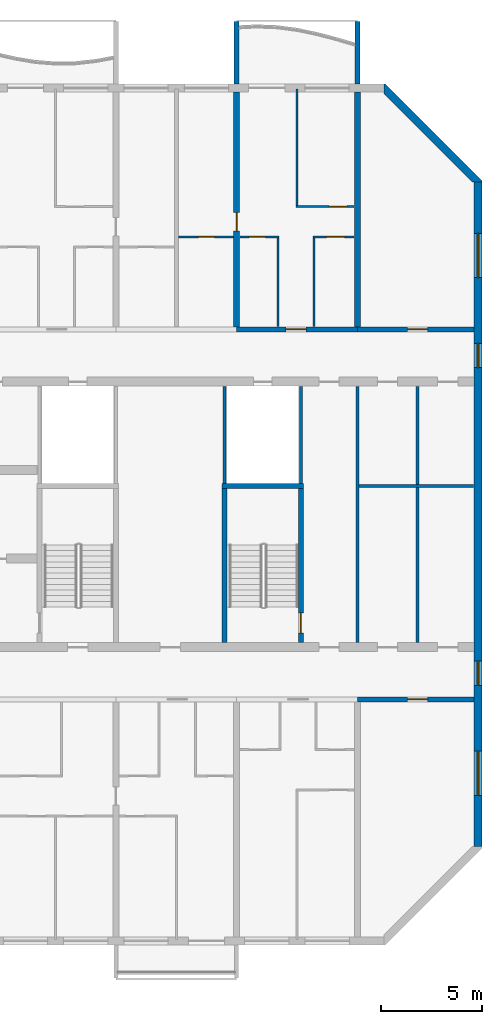
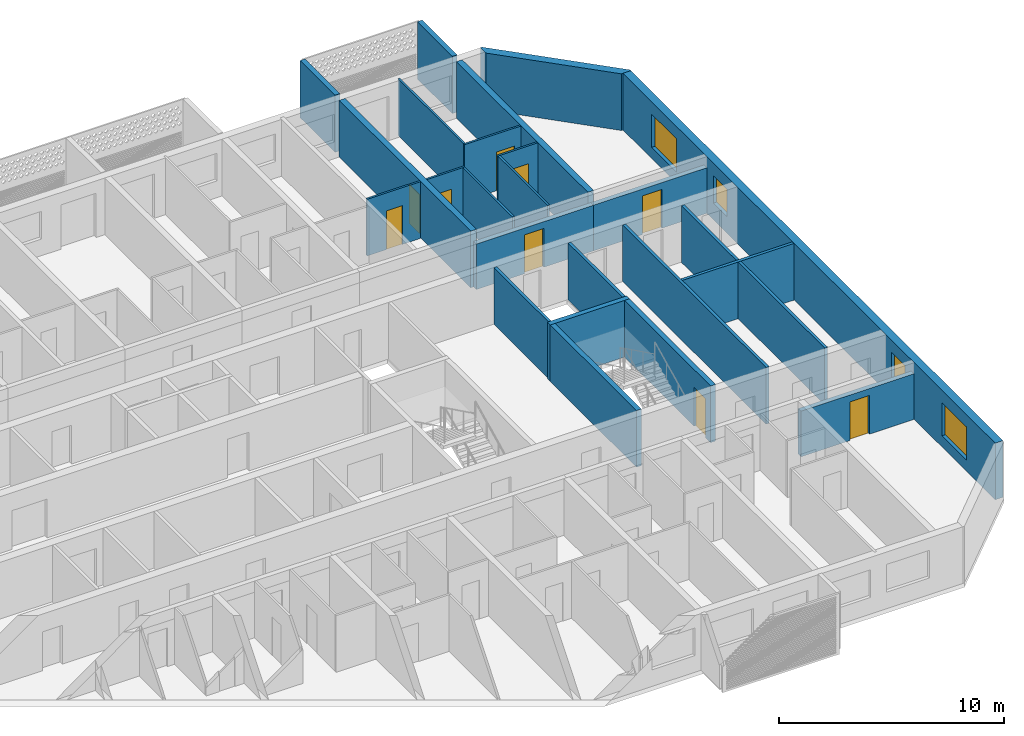
# One storey, part 12 of 32: 24 walls, 9 doors, 4 windows, 13 openings.
"""IFC4 building model written with IfcOpenShell, lengths in metres."""

from ifc_helpers import new_model, si_unit, direction, frame, frame_2d, origin, place, context, subcontext, project, spatial, polyline, rectangle, outline, extrude, source, transform, mapped, material, layer, layer_set, type_object, element, fill, save


model = new_model("IFC4")

# Units and contexts
model_context = context("Model", 3, precision=1e-05, world=origin(), true_north=direction((0.0, 1.0)))
body_context = subcontext(model_context, "Body", "Model", "MODEL_VIEW")
ifc_project = project(units=[si_unit("LENGTHUNIT", "METRE"), si_unit("AREAUNIT", "SQUARE_METRE"), si_unit("VOLUMEUNIT", "CUBIC_METRE"), si_unit("PLANEANGLEUNIT", "RADIAN"), si_unit("MASSUNIT", "GRAM", prefix="KILO")], contexts=[model_context])

# Site, building, storey
site_placement = place(None, origin())
site = spatial("IfcSite", under=ifc_project, at=site_placement, CompositionType="ELEMENT")
building_placement = place(site_placement, origin())
building = spatial("IfcBuilding", under=site, at=building_placement, Name="Poui Terraces", CompositionType="ELEMENT")
storey_placement = place(building_placement, frame((0.0, 0.0, 125.699951171875)))
storey = spatial("IfcBuildingStorey", under=building, at=storey_placement, Name="L34", CompositionType="ELEMENT", Elevation=125.699951171875)

# Wall
ifc_material_1 = material(Name="Fire-rated plasterboard wall")
ifc_layer_1 = layer(ifc_material_1, 0.14990234375)
ifc_layer_set_1 = layer_set([ifc_layer_1], Name="Fire-rated plasterboard wall")
wall_type_1 = type_object("IfcWallType", Name="CORRIDOR WALL 150", PredefinedType="PARTITIONING", material=ifc_layer_set_1)
wall_1_placement = place(storey_placement, frame((84.0, 14.8349609375, 0.0), z_axis=(0.0, 0.0, 1.0), x_axis=(0.0, 1.0, 0.0)))
element("IfcWall", 1, at=wall_1_placement, inside=storey, type_object=wall_type_1, Name="CORRIDOR WALL 150", PredefinedType="PARTITIONING", context=body_context, shape_type="SweptSolid", body=[
    extrude(rectangle(XDim=12.72998046875, YDim=0.14990234375, at=frame_2d((6.364990234375, 0.0))), origin(), (0.0, 0.0, 1.0), 3.070068359375),
])

# Wall, opening, door
ifc_material_2 = material(Name="Concrete 65 MPa", Category="concrete")
ifc_layer_2 = layer(ifc_material_2, 0.25)
ifc_layer_set_2 = layer_set([ifc_layer_2], Name="Concrete 65 MPa")
wall_type_2 = type_object("IfcWallType", Name="CORRIDOR WALL 250 65MPa", PredefinedType="SHEAR", material=ifc_layer_set_2)
wall_2_placement = place(storey_placement, frame((84.0, 12.0, 0.0), z_axis=(0.0, 0.0, 1.0), x_axis=(1.0, 0.0, 0.0)))
wall_2 = element("IfcWall", 2, at=wall_2_placement, inside=storey, type_object=wall_type_2, Name="CORRIDOR WALL LINE B BAY 13", PredefinedType="SHEAR", context=body_context, shape_type="SweptSolid", body=[
    extrude(rectangle(XDim=5.800048828125, YDim=0.25, at=frame_2d((2.89990234375, 0.0))), origin(), (0.0, 0.0, 1.0), 2.469970703125),
])
opening_1_placement = place(wall_2_placement, frame((2.5, 0.0, 0.0)))
opening_1 = element("IfcOpeningElement", 3, at=opening_1_placement, cuts=wall_2, Name="Opening D100", PredefinedType="OPENING", context=body_context, shape_type="SweptSolid", body=[
    extrude(rectangle(XDim=1.0, YDim=2.10009765625, at=frame_2d((0.5, 1.050048828125))), frame((0.0, 0.135009765625, 0.0), z_axis=(0.0, -1.0, 0.0), x_axis=(1.0, 0.0, 0.0)), (0.0, 0.0, 1.0), 0.27001953125),
])
ifc_material_3 = material(Name="Solid core timber door", Category="wood")
door_type_1 = type_object("IfcDoorType", Name="ACCESSIBLE INTERNAL DOOR 1000 X 2100", OperationType="NOTDEFINED", PredefinedType="DOOR", material=ifc_material_3)
door_1_placement = place(opening_1_placement, frame((1.0, 0.0, 0.0), z_axis=(0.0, 0.0, 1.0), x_axis=(-1.0, 0.0, 0.0)))
door_1 = element("IfcDoor", 4, at=door_1_placement, inside=storey, type_object=door_type_1, Name="ACCESSIBLE INTERNAL DOOR 120", OperationType="SINGLE_SWING_RIGHT", OverallHeight=2.10009765625, OverallWidth=1.0, PredefinedType="DOOR", context=body_context, shape_type="SweptSolid", body=[
    extrude(rectangle(XDim=1.0, YDim=2.10009765625, at=frame_2d((0.5, 1.050048828125))), frame((0.0, 0.02490234375, 0.0), z_axis=(0.0, -1.0, 0.0), x_axis=(1.0, 0.0, 0.0)), (0.0, 0.0, 1.0), 0.050048828125),
])
fill(opening_1, door_1)

wall_3_placement = place(storey_placement, frame((78.0, 30.39990234375, 0.0), z_axis=(0.0, 0.0, 1.0), x_axis=(1.0, 0.0, 0.0)))
wall_3 = element("IfcWall", 5, at=wall_3_placement, inside=storey, type_object=wall_type_2, Name="CORRIDOR WALL LINE E BAY 12", PredefinedType="SHEAR", context=body_context, shape_type="SweptSolid", body=[
    extrude(rectangle(XDim=6.0, YDim=0.25, at=frame_2d((3.0, 0.0))), origin(), (0.0, 0.0, 1.0), 2.469970703125),
])
opening_2_placement = place(wall_3_placement, frame((2.449951171875, 0.0, 0.0)))
opening_2 = element("IfcOpeningElement", 6, at=opening_2_placement, cuts=wall_3, Name="Opening FD30S", PredefinedType="OPENING", context=body_context, shape_type="SweptSolid", body=[
    extrude(rectangle(XDim=1.0, YDim=2.10009765625, at=frame_2d((0.5, 1.050048828125))), frame((0.0, 0.135009765625, 0.0), z_axis=(0.0, -1.0, 0.0), x_axis=(1.0, 0.0, 0.0)), (0.0, 0.0, 1.0), 0.27001953125),
])
ifc_material_4 = material(Name="Steel fire door", Category="steel")
door_type_2 = type_object("IfcDoorType", Name="FLAT ENTRANCE DOOR 1000 X 2100", OperationType="NOTDEFINED", PredefinedType="DOOR", material=ifc_material_4)
door_2_placement = place(opening_2_placement, origin())
door_2 = element("IfcDoor", 7, at=door_2_placement, inside=storey, type_object=door_type_2, Name="FLAT ENTRANCE DOOR 074", OperationType="SINGLE_SWING_LEFT", OverallHeight=2.10009765625, OverallWidth=1.0, PredefinedType="DOOR", context=body_context, shape_type="SweptSolid", body=[
    extrude(rectangle(XDim=1.0, YDim=2.10009765625, at=frame_2d((0.5, 1.050048828125))), frame((0.0, 0.02490234375, 0.0), z_axis=(0.0, -1.0, 0.0), x_axis=(1.0, 0.0, 0.0)), (0.0, 0.0, 1.0), 0.050048828125),
])
fill(opening_2, door_2)

wall_4_placement = place(storey_placement, frame((84.0, 30.39990234375, 0.0), z_axis=(0.0, 0.0, 1.0), x_axis=(1.0, 0.0, 0.0)))
wall_4 = element("IfcWall", 8, at=wall_4_placement, inside=storey, type_object=wall_type_2, Name="CORRIDOR WALL LINE E BAY 13", PredefinedType="SHEAR", context=body_context, shape_type="SweptSolid", body=[
    extrude(rectangle(XDim=5.800048828125, YDim=0.25, at=frame_2d((2.89990234375, 0.0))), origin(), (0.0, 0.0, 1.0), 2.469970703125),
])
opening_3_placement = place(wall_4_placement, frame((2.5, 0.0, 0.0)))
opening_3 = element("IfcOpeningElement", 9, at=opening_3_placement, cuts=wall_4, Name="Opening D100", PredefinedType="OPENING", context=body_context, shape_type="SweptSolid", body=[
    extrude(rectangle(XDim=1.0, YDim=2.10009765625, at=frame_2d((0.5, 1.050048828125))), frame((0.0, 0.135009765625, 0.0), z_axis=(0.0, -1.0, 0.0), x_axis=(1.0, 0.0, 0.0)), (0.0, 0.0, 1.0), 0.27001953125),
])
door_3_placement = place(opening_3_placement, origin())
door_3 = element("IfcDoor", 10, at=door_3_placement, inside=storey, type_object=door_type_1, Name="ACCESSIBLE INTERNAL DOOR 077", OperationType="SINGLE_SWING_LEFT", OverallHeight=2.10009765625, OverallWidth=1.0, PredefinedType="DOOR", context=body_context, shape_type="SweptSolid", body=[
    extrude(rectangle(XDim=1.0, YDim=2.10009765625, at=frame_2d((0.5, 1.050048828125))), frame((0.0, 0.02490234375, 0.0), z_axis=(0.0, -1.0, 0.0), x_axis=(1.0, 0.0, 0.0)), (0.0, 0.0, 1.0), 0.050048828125),
])
fill(opening_3, door_3)

ifc_layer_3 = layer(ifc_material_2, 0.300048828125)
ifc_layer_set_3 = layer_set([ifc_layer_3], Name="Concrete 65 MPa")
wall_type_3 = type_object("IfcWallType", Name="CROSS WALL 300 65MPa", PredefinedType="SHEAR", material=ifc_layer_set_3)
wall_5_placement = place(storey_placement, frame((78.0, 30.52490234375, 0.0), z_axis=(0.0, 0.0, 1.0), x_axis=(0.0, 1.0, 0.0)))
wall_5 = element("IfcWall", 11, at=wall_5_placement, inside=storey, type_object=wall_type_3, Name="CROSS WALL LINE 14 NORTH", PredefinedType="SHEAR", context=body_context, shape_type="SweptSolid", body=[
    extrude(rectangle(XDim=11.675048828125, YDim=0.300048828125, at=frame_2d((5.83740234375, 0.0))), origin(), (0.0, 0.0, 1.0), 3.070068359375),
])
opening_4_placement = place(wall_5_placement, frame((4.77490234375, 0.0, 0.0)))
opening_4 = element("IfcOpeningElement", 12, at=opening_4_placement, cuts=wall_5, Name="Opening D90", PredefinedType="OPENING", context=body_context, shape_type="SweptSolid", body=[
    extrude(rectangle(XDim=0.89990234375, YDim=2.10009765625, at=frame_2d((0.449951171875, 1.050048828125))), frame((0.0, 0.16015625, 0.0), z_axis=(0.0, -1.0, 0.0), x_axis=(1.0, 0.0, 0.0)), (0.0, 0.0, 1.0), 0.320068359375),
])
door_type_3 = type_object("IfcDoorType", Name="INTERNAL DOOR 900 X 2100", OperationType="NOTDEFINED", PredefinedType="DOOR", material=ifc_material_3)
door_4_placement = place(opening_4_placement, origin())
door_4 = element("IfcDoor", 13, at=door_4_placement, inside=storey, type_object=door_type_3, Name="INTERNAL DOOR 072", OperationType="SINGLE_SWING_LEFT", OverallHeight=2.10009765625, OverallWidth=0.89990234375, PredefinedType="DOOR", context=body_context, shape_type="SweptSolid", body=[
    extrude(rectangle(XDim=0.89990234375, YDim=2.10009765625, at=frame_2d((0.449951171875, 1.050048828125))), frame((0.0, 0.02490234375, 0.0), z_axis=(0.0, -1.0, 0.0), x_axis=(1.0, 0.0, 0.0)), (0.0, 0.0, 1.0), 0.050048828125),
])
fill(opening_4, door_4)

# Wall
wall_6_placement = place(storey_placement, frame((84.0, 30.52490234375, 0.0), z_axis=(0.0, 0.0, 1.0), x_axis=(0.0, 1.0, 0.0)))
element("IfcWall", 14, at=wall_6_placement, inside=storey, type_object=wall_type_3, Name="CROSS WALL LINE 15 NORTH", PredefinedType="SHEAR", context=body_context, shape_type="SweptSolid", body=[
    extrude(rectangle(XDim=11.675048828125, YDim=0.300048828125, at=frame_2d((5.83740234375, 0.0))), origin(), (0.0, 0.0, 1.0), 3.070068359375),
])

# Wall, openings, windows
ifc_layer_4 = layer(ifc_material_2, 0.39990234375)
ifc_layer_set_4 = layer_set([ifc_layer_4], Name="Concrete 65 MPa")
wall_type_4 = type_object("IfcWallType", Name="END WALL 400 65MPa", PredefinedType="SHEAR", material=ifc_layer_set_4)
wall_7_placement = place(storey_placement, frame((90.0, 4.682861328125, 0.0), z_axis=(0.0, 0.0, 1.0), x_axis=(0.0, 1.0, 0.0)))
wall_7 = element("IfcWall", 15, at=wall_7_placement, inside=storey, type_object=wall_type_4, Name="END WALL EAST", PredefinedType="SHEAR", context=body_context, shape_type="SweptSolid", body=[
    extrude(rectangle(XDim=33.034423828125, YDim=0.39990234375, at=frame_2d((16.51708984375, 0.0))), origin(), (0.0, 0.0, 1.0), 3.070068359375),
])
opening_5_placement = place(wall_7_placement, frame((23.817138671875, 0.0, 0.89990234375)))
opening_5 = element("IfcOpeningElement", 16, at=opening_5_placement, cuts=wall_7, Name="Opening W2", PredefinedType="OPENING", context=body_context, shape_type="SweptSolid", body=[
    extrude(rectangle(XDim=1.199951171875, YDim=1.5, at=frame_2d((0.60009765625, 0.75))), frame((0.0, 0.2099609375, 0.0), z_axis=(0.0, -1.0, 0.0), x_axis=(1.0, 0.0, 0.0)), (0.0, 0.0, 1.0), 0.419921875),
])
opening_6_placement = place(wall_7_placement, frame((8.01708984375, 0.0, 0.89990234375)))
opening_6 = element("IfcOpeningElement", 17, at=opening_6_placement, cuts=wall_7, Name="Opening W2", PredefinedType="OPENING", context=body_context, shape_type="SweptSolid", body=[
    extrude(rectangle(XDim=1.199951171875, YDim=1.5, at=frame_2d((0.60009765625, 0.75))), frame((0.0, 0.2099609375, 0.0), z_axis=(0.0, -1.0, 0.0), x_axis=(1.0, 0.0, 0.0)), (0.0, 0.0, 1.0), 0.419921875),
])
opening_7_placement = place(wall_7_placement, frame((28.29345703125, 0.0, 0.60009765625)))
opening_7 = element("IfcOpeningElement", 18, at=opening_7_placement, cuts=wall_7, Name="Opening W3", PredefinedType="OPENING", context=body_context, shape_type="SweptSolid", body=[
    extrude(rectangle(XDim=2.199951171875, YDim=1.800048828125, at=frame_2d((1.10009765625, 0.89990234375))), frame((0.0, 0.2099609375, 0.0), z_axis=(0.0, -1.0, 0.0), x_axis=(1.0, 0.0, 0.0)), (0.0, 0.0, 1.0), 0.419921875),
])
opening_8_placement = place(wall_7_placement, frame((2.541015625, 0.0, 0.60009765625)))
opening_8 = element("IfcOpeningElement", 19, at=opening_8_placement, cuts=wall_7, Name="Opening W3", PredefinedType="OPENING", context=body_context, shape_type="SweptSolid", body=[
    extrude(rectangle(XDim=2.199951171875, YDim=1.800048828125, at=frame_2d((1.10009765625, 0.89990234375))), frame((0.0, 0.2099609375, 0.0), z_axis=(0.0, -1.0, 0.0), x_axis=(1.0, 0.0, 0.0)), (0.0, 0.0, 1.0), 0.419921875),
])
ifc_material_5 = material(Name="Clear glass in aluminium frame", Category="aluminium")
window_type_1 = type_object("IfcWindowType", Name="WINDOW 1200X1500", PartitioningType="SINGLE_PANEL", PredefinedType="WINDOW", material=ifc_material_5)
window_1_placement = place(opening_5_placement, origin())
window_1 = element("IfcWindow", 20, at=window_1_placement, inside=storey, type_object=window_type_1, Name="W2 WINDOW", OverallHeight=1.5, OverallWidth=1.199951171875, PartitioningType="SINGLE_PANEL", PredefinedType="WINDOW", context=body_context, shape_type="SweptSolid", body=[
    extrude(rectangle(XDim=1.199951171875, YDim=1.5, at=frame_2d((0.60009765625, 0.75))), frame((0.0, 0.030029296875, 0.0), z_axis=(0.0, -1.0, 0.0), x_axis=(1.0, 0.0, 0.0)), (0.0, 0.0, 1.0), 0.06005859375),
])
fill(opening_5, window_1)
window_2_placement = place(opening_6_placement, origin())
window_2 = element("IfcWindow", 21, at=window_2_placement, inside=storey, type_object=window_type_1, Name="W2 WINDOW", OverallHeight=1.5, OverallWidth=1.199951171875, PartitioningType="SINGLE_PANEL", PredefinedType="WINDOW", context=body_context, shape_type="SweptSolid", body=[
    extrude(rectangle(XDim=1.199951171875, YDim=1.5, at=frame_2d((0.60009765625, 0.75))), frame((0.0, 0.030029296875, 0.0), z_axis=(0.0, -1.0, 0.0), x_axis=(1.0, 0.0, 0.0)), (0.0, 0.0, 1.0), 0.06005859375),
])
fill(opening_6, window_2)
window_type_2 = type_object("IfcWindowType", Name="WINDOW 2200X1800", PartitioningType="DOUBLE_PANEL_HORIZONTAL", PredefinedType="WINDOW", material=ifc_material_5)
window_3_placement = place(opening_7_placement, origin())
window_3 = element("IfcWindow", 22, at=window_3_placement, inside=storey, type_object=window_type_2, Name="W3 WINDOW", OverallHeight=1.800048828125, OverallWidth=2.199951171875, PartitioningType="DOUBLE_PANEL_HORIZONTAL", PredefinedType="WINDOW", context=body_context, shape_type="SweptSolid", body=[
    extrude(rectangle(XDim=2.199951171875, YDim=1.800048828125, at=frame_2d((1.10009765625, 0.89990234375))), frame((0.0, 0.030029296875, 0.0), z_axis=(0.0, -1.0, 0.0), x_axis=(1.0, 0.0, 0.0)), (0.0, 0.0, 1.0), 0.06005859375),
])
fill(opening_7, window_3)
window_4_placement = place(opening_8_placement, origin())
window_4 = element("IfcWindow", 23, at=window_4_placement, inside=storey, type_object=window_type_2, Name="W3 WINDOW", OverallHeight=1.800048828125, OverallWidth=2.199951171875, PartitioningType="DOUBLE_PANEL_HORIZONTAL", PredefinedType="WINDOW", context=body_context, shape_type="SweptSolid", body=[
    extrude(rectangle(XDim=2.199951171875, YDim=1.800048828125, at=frame_2d((1.10009765625, 0.89990234375))), frame((0.0, 0.030029296875, 0.0), z_axis=(0.0, -1.0, 0.0), x_axis=(1.0, 0.0, 0.0)), (0.0, 0.0, 1.0), 0.06005859375),
])
fill(opening_8, window_4)

# Wall, opening, door
ifc_material_6 = material(Name="Plasterboard partition")
ifc_layer_5 = layer(ifc_material_6, 0.10009765625)
ifc_layer_set_5 = layer_set([ifc_layer_5], Name="Plasterboard partition")
wall_type_5 = type_object("IfcWallType", Name="FLAT PARTITION 100", PredefinedType="PARTITIONING", material=ifc_layer_set_5)
wall_8_placement = place(storey_placement, frame((75.10009765625, 35.0, 0.0), z_axis=(0.0, 0.0, 1.0), x_axis=(1.0, 0.0, 0.0)))
wall_8 = element("IfcWall", 24, at=wall_8_placement, inside=storey, type_object=wall_type_5, Name="FLAT PARTITION 100", PredefinedType="PARTITIONING", context=body_context, shape_type="SweptSolid", body=[
    extrude(rectangle(XDim=2.739990234375, YDim=0.10009765625, at=frame_2d((1.3701171875, 0.0))), origin(), (0.0, 0.0, 1.0), 3.070068359375),
])
opening_9_placement = place(wall_8_placement, frame((1.0, 0.0, 0.0)))
opening_9 = element("IfcOpeningElement", 25, at=opening_9_placement, cuts=wall_8, Name="Opening D80", PredefinedType="OPENING", context=body_context, shape_type="SweptSolid", body=[
    extrude(rectangle(XDim=0.800048828125, YDim=2.10009765625, at=frame_2d((0.39990234375, 1.050048828125))), frame((0.0, 0.06005859375, 0.0), z_axis=(0.0, -1.0, 0.0), x_axis=(1.0, 0.0, 0.0)), (0.0, 0.0, 1.0), 0.1201171875),
])
door_type_4 = type_object("IfcDoorType", Name="BATHROOM, LAUNDRY AND STORE DOOR 800 X 2100", OperationType="NOTDEFINED", PredefinedType="DOOR", material=ifc_material_3)
door_5_placement = place(opening_9_placement, frame((0.800048828125, 0.0, 0.0), z_axis=(0.0, 0.0, 1.0), x_axis=(-1.0, 0.0, 0.0)))
door_5 = element("IfcDoor", 26, at=door_5_placement, inside=storey, type_object=door_type_4, Name="BATHROOM, LAUNDRY AND STORE DOOR 071", OperationType="SINGLE_SWING_RIGHT", OverallHeight=2.10009765625, OverallWidth=0.800048828125, PredefinedType="DOOR", context=body_context, shape_type="SweptSolid", body=[
    extrude(rectangle(XDim=0.800048828125, YDim=2.10009765625, at=frame_2d((0.39990234375, 1.050048828125))), frame((0.0, 0.02490234375, 0.0), z_axis=(0.0, -1.0, 0.0), x_axis=(1.0, 0.0, 0.0)), (0.0, 0.0, 1.0), 0.050048828125),
])
fill(opening_9, door_5)

wall_9_placement = place(storey_placement, frame((78.159912109375, 35.0, 0.0), z_axis=(0.0, 0.0, 1.0), x_axis=(1.0, 0.0, 0.0)))
wall_9 = element("IfcWall", 27, at=wall_9_placement, inside=storey, type_object=wall_type_5, Name="FLAT PARTITION 100", PredefinedType="PARTITIONING", context=body_context, shape_type="SweptSolid", body=[
    extrude(rectangle(XDim=1.940185546875, YDim=0.10009765625, at=frame_2d((0.97021484375, 0.0))), origin(), (0.0, 0.0, 1.0), 3.070068359375),
])
opening_10_placement = place(wall_9_placement, frame((0.465087890625, 0.0, 0.0)))
opening_10 = element("IfcOpeningElement", 28, at=opening_10_placement, cuts=wall_9, Name="Opening D80", PredefinedType="OPENING", context=body_context, shape_type="SweptSolid", body=[
    extrude(rectangle(XDim=0.800048828125, YDim=2.10009765625, at=frame_2d((0.39990234375, 1.050048828125))), frame((0.0, 0.06005859375, 0.0), z_axis=(0.0, -1.0, 0.0), x_axis=(1.0, 0.0, 0.0)), (0.0, 0.0, 1.0), 0.1201171875),
])
door_6_placement = place(opening_10_placement, frame((0.800048828125, 0.0, 0.0), z_axis=(0.0, 0.0, 1.0), x_axis=(-1.0, 0.0, 0.0)))
door_6 = element("IfcDoor", 29, at=door_6_placement, inside=storey, type_object=door_type_4, Name="BATHROOM, LAUNDRY AND STORE DOOR 073", OperationType="SINGLE_SWING_RIGHT", OverallHeight=2.10009765625, OverallWidth=0.800048828125, PredefinedType="DOOR", context=body_context, shape_type="SweptSolid", body=[
    extrude(rectangle(XDim=0.800048828125, YDim=2.10009765625, at=frame_2d((0.39990234375, 1.050048828125))), frame((0.0, 0.02490234375, 0.0), z_axis=(0.0, -1.0, 0.0), x_axis=(1.0, 0.0, 0.0)), (0.0, 0.0, 1.0), 0.050048828125),
])
fill(opening_10, door_6)

wall_10_placement = place(storey_placement, frame((81.800048828125, 35.0, 0.0), z_axis=(0.0, 0.0, 1.0), x_axis=(1.0, 0.0, 0.0)))
wall_10 = element("IfcWall", 30, at=wall_10_placement, inside=storey, type_object=wall_type_5, Name="FLAT PARTITION 100", PredefinedType="PARTITIONING", context=body_context, shape_type="SweptSolid", body=[
    extrude(rectangle(XDim=2.0400390625, YDim=0.10009765625, at=frame_2d((1.02001953125, 0.0))), origin(), (0.0, 0.0, 1.0), 3.070068359375),
])
opening_11_placement = place(wall_10_placement, frame((0.675048828125, 0.0, 0.0)))
opening_11 = element("IfcOpeningElement", 31, at=opening_11_placement, cuts=wall_10, Name="Opening D90", PredefinedType="OPENING", context=body_context, shape_type="SweptSolid", body=[
    extrude(rectangle(XDim=0.89990234375, YDim=2.10009765625, at=frame_2d((0.449951171875, 1.050048828125))), frame((0.0, 0.06005859375, 0.0), z_axis=(0.0, -1.0, 0.0), x_axis=(1.0, 0.0, 0.0)), (0.0, 0.0, 1.0), 0.1201171875),
])
door_7_placement = place(opening_11_placement, frame((0.89990234375, 0.0, 0.0), z_axis=(0.0, 0.0, 1.0), x_axis=(-1.0, 0.0, 0.0)))
door_7 = element("IfcDoor", 32, at=door_7_placement, inside=storey, type_object=door_type_3, Name="INTERNAL DOOR 075", OperationType="SINGLE_SWING_LEFT", OverallHeight=2.10009765625, OverallWidth=0.89990234375, PredefinedType="DOOR", context=body_context, shape_type="SweptSolid", body=[
    extrude(rectangle(XDim=0.89990234375, YDim=2.10009765625, at=frame_2d((0.449951171875, 1.050048828125))), frame((0.0, 0.02490234375, 0.0), z_axis=(0.0, -1.0, 0.0), x_axis=(1.0, 0.0, 0.0)), (0.0, 0.0, 1.0), 0.050048828125),
])
fill(opening_11, door_7)

wall_11_placement = place(storey_placement, frame((80.949951171875, 36.5, 0.0), z_axis=(0.0, 0.0, 1.0), x_axis=(1.0, 0.0, 0.0)))
wall_11 = element("IfcWall", 33, at=wall_11_placement, inside=storey, type_object=wall_type_5, Name="FLAT PARTITION 100", PredefinedType="PARTITIONING", context=body_context, shape_type="SweptSolid", body=[
    extrude(rectangle(XDim=2.89013671875, YDim=0.10009765625, at=frame_2d((1.445068359375, 0.0))), origin(), (0.0, 0.0, 1.0), 3.070068359375),
])
opening_12_placement = place(wall_11_placement, frame((1.64990234375, 0.0, 0.0)))
opening_12 = element("IfcOpeningElement", 34, at=opening_12_placement, cuts=wall_11, Name="Opening D90", PredefinedType="OPENING", context=body_context, shape_type="SweptSolid", body=[
    extrude(rectangle(XDim=0.89990234375, YDim=2.10009765625, at=frame_2d((0.449951171875, 1.050048828125))), frame((0.0, 0.06005859375, 0.0), z_axis=(0.0, -1.0, 0.0), x_axis=(1.0, 0.0, 0.0)), (0.0, 0.0, 1.0), 0.1201171875),
])
door_8_placement = place(opening_12_placement, frame((0.89990234375, 0.0, 0.0), z_axis=(0.0, 0.0, 1.0), x_axis=(-1.0, 0.0, 0.0)))
door_8 = element("IfcDoor", 35, at=door_8_placement, inside=storey, type_object=door_type_3, Name="INTERNAL DOOR 076", OperationType="SINGLE_SWING_RIGHT", OverallHeight=2.10009765625, OverallWidth=0.89990234375, PredefinedType="DOOR", context=body_context, shape_type="SweptSolid", body=[
    extrude(rectangle(XDim=0.89990234375, YDim=2.10009765625, at=frame_2d((0.449951171875, 1.050048828125))), frame((0.0, 0.02490234375, 0.0), z_axis=(0.0, -1.0, 0.0), x_axis=(1.0, 0.0, 0.0)), (0.0, 0.0, 1.0), 0.050048828125),
])
fill(opening_12, door_8)

# Walls
wall_12_placement = place(storey_placement, frame((80.050048828125, 30.534912109375, 0.0), z_axis=(0.0, 0.0, 1.0), x_axis=(0.0, 1.0, 0.0)))
element("IfcWall", 36, at=wall_12_placement, inside=storey, type_object=wall_type_5, Name="FLAT PARTITION 100", PredefinedType="PARTITIONING", context=body_context, shape_type="SweptSolid", body=[
    extrude(rectangle(XDim=4.4150390625, YDim=0.10009765625, at=frame_2d((2.20751953125, 0.0))), origin(), (0.0, 0.0, 1.0), 3.070068359375),
])
wall_13_placement = place(storey_placement, frame((81.0, 36.550048828125, 0.0), z_axis=(0.0, 0.0, 1.0), x_axis=(0.0, 1.0, 0.0)))
element("IfcWall", 37, at=wall_13_placement, inside=storey, type_object=wall_type_5, Name="FLAT PARTITION 100", PredefinedType="PARTITIONING", context=body_context, shape_type="SweptSolid", body=[
    extrude(rectangle(XDim=5.7900390625, YDim=0.10009765625, at=frame_2d((2.89501953125, 0.0))), origin(), (0.0, 0.0, 1.0), 3.070068359375),
])
wall_14_placement = place(storey_placement, frame((81.85009765625, 30.534912109375, 0.0), z_axis=(0.0, 0.0, 1.0), x_axis=(0.0, 1.0, 0.0)))
element("IfcWall", 38, at=wall_14_placement, inside=storey, type_object=wall_type_5, Name="FLAT PARTITION 100", PredefinedType="PARTITIONING", context=body_context, shape_type="SweptSolid", body=[
    extrude(rectangle(XDim=4.4150390625, YDim=0.10009765625, at=frame_2d((2.20751953125, 0.0))), origin(), (0.0, 0.0, 1.0), 3.070068359375),
])
ifc_layer_6 = layer(ifc_material_6, 0.14990234375)
ifc_layer_set_6 = layer_set([ifc_layer_6], Name="Plasterboard partition")
wall_type_6 = type_object("IfcWallType", Name="PARTITION WALL 150", PredefinedType="PARTITIONING", material=ifc_layer_set_6)
wall_15_placement = place(storey_placement, frame((84.074951171875, 22.60009765625, 0.0), z_axis=(0.0, 0.0, 1.0), x_axis=(1.0, 0.0, 0.0)))
element("IfcWall", 39, at=wall_15_placement, inside=storey, type_object=wall_type_6, Name="PARTITION WALL 150", PredefinedType="PARTITIONING", context=body_context, shape_type="SweptSolid", body=[
    extrude(rectangle(XDim=5.715087890625, YDim=0.14990234375, at=frame_2d((2.857421875, 0.0))), origin(), (0.0, 0.0, 1.0), 3.070068359375),
])
wall_16_placement = place(storey_placement, frame((87.0, 14.8349609375, 0.0), z_axis=(0.0, 0.0, 1.0), x_axis=(0.0, 1.0, 0.0)))
element("IfcWall", 40, at=wall_16_placement, inside=storey, type_object=wall_type_6, Name="PARTITION WALL 150", PredefinedType="PARTITIONING", context=body_context, shape_type="SweptSolid", body=[
    extrude(rectangle(XDim=12.72998046875, YDim=0.14990234375, at=frame_2d((6.364990234375, 0.0))), origin(), (0.0, 0.0, 1.0), 3.070068359375),
])
ifc_material_7 = material(Name="Fire-rated plasterboard riser wall")
ifc_layer_7 = layer(ifc_material_7, 0.14990234375)
ifc_layer_set_7 = layer_set([ifc_layer_7], Name="Fire-rated plasterboard riser wall")
wall_type_7 = type_object("IfcWallType", Name="RISER WALL 150", PredefinedType="PARTITIONING", material=ifc_layer_set_7)
for number, where, z_axis, x_axis, name in (
    (41, (77.39990234375, 22.735107421875, 0.0), (0.0, 0.0, 1.0), (0.0, 1.0, 0.0), "RISER WALL 150"),
    (42, (81.199951171875, 22.735107421875, 0.0), (0.0, 0.0, 1.0), (0.0, 1.0, 0.0), "RISER WALL 150"),
):
    element("IfcWall", number, at=place(storey_placement, frame(where, z_axis=z_axis, x_axis=x_axis)), inside=storey, type_object=wall_type_7, Name=name, PredefinedType="PARTITIONING", context=body_context, shape_type="SweptSolid", body=[
        extrude(rectangle(XDim=4.829833984375, YDim=0.14990234375, at=frame_2d((2.4150390625, 0.0))), origin(), (0.0, 0.0, 1.0), 3.070068359375),
    ])
ifc_layer_8 = layer(ifc_material_2, 0.25)
ifc_layer_set_8 = layer_set([ifc_layer_8], Name="Concrete 65 MPa")
wall_type_8 = type_object("IfcWallType", Name="STAIR CORE WALL 250 65 MPA", PredefinedType="SOLIDWALL", material=ifc_layer_set_8)
wall_17_placement = place(storey_placement, frame((77.39990234375, 14.824951171875, 0.0), z_axis=(0.0, 0.0, 1.0), x_axis=(0.0, 1.0, 0.0)))
element("IfcWall", 43, at=wall_17_placement, inside=storey, type_object=wall_type_8, Name="STAIR CORE WALL", PredefinedType="SOLIDWALL", context=body_context, shape_type="SweptSolid", body=[
    extrude(rectangle(XDim=7.650146484375, YDim=0.25, at=frame_2d((3.8251953125, 0.0))), origin(), (0.0, 0.0, 1.0), 3.070068359375),
])

# Wall, opening, door
wall_18_placement = place(storey_placement, frame((81.199951171875, 14.824951171875, 0.0), z_axis=(0.0, 0.0, 1.0), x_axis=(0.0, 1.0, 0.0)))
wall_18 = element("IfcWall", 44, at=wall_18_placement, inside=storey, type_object=wall_type_8, Name="STAIR CORE WALL", PredefinedType="SOLIDWALL", context=body_context, shape_type="SweptSolid", body=[
    extrude(rectangle(XDim=7.650146484375, YDim=0.25, at=frame_2d((3.8251953125, 0.0))), origin(), (0.0, 0.0, 1.0), 3.070068359375),
])
opening_13_placement = place(wall_18_placement, frame((0.47509765625, 0.0, 0.0)))
opening_13 = element("IfcOpeningElement", 45, at=opening_13_placement, cuts=wall_18, Name="Opening FD60S", PredefinedType="OPENING", context=body_context, shape_type="SweptSolid", body=[
    extrude(rectangle(XDim=1.0, YDim=2.10009765625, at=frame_2d((0.5, 1.050048828125))), frame((0.0, 0.135009765625, 0.0), z_axis=(0.0, -1.0, 0.0), x_axis=(1.0, 0.0, 0.0)), (0.0, 0.0, 1.0), 0.27001953125),
])
door_type_5 = type_object("IfcDoorType", Name="STAIR DOOR 1000 X 2100", OperationType="NOTDEFINED", PredefinedType="DOOR", material=ifc_material_4)
door_9_placement = place(opening_13_placement, origin())
door_9 = element("IfcDoor", 46, at=door_9_placement, inside=storey, type_object=door_type_5, Name="STAIR DOOR 136", OperationType="SINGLE_SWING_LEFT", OverallHeight=2.10009765625, OverallWidth=1.0, PredefinedType="DOOR", context=body_context, shape_type="SweptSolid", body=[
    extrude(rectangle(XDim=1.0, YDim=2.10009765625, at=frame_2d((0.5, 1.050048828125))), frame((0.0, 0.02490234375, 0.0), z_axis=(0.0, -1.0, 0.0), x_axis=(1.0, 0.0, 0.0)), (0.0, 0.0, 1.0), 0.050048828125),
])
fill(opening_13, door_9)

# Walls
wall_19_placement = place(storey_placement, frame((77.27490234375, 22.60009765625, 0.0), z_axis=(0.0, 0.0, 1.0), x_axis=(1.0, 0.0, 0.0)))
element("IfcWall", 47, at=wall_19_placement, inside=storey, type_object=wall_type_8, Name="STAIR CORE WALL", PredefinedType="SOLIDWALL", context=body_context, shape_type="SweptSolid", body=[
    extrude(rectangle(XDim=4.050048828125, YDim=0.25, at=frame_2d((2.02490234375, 0.0))), origin(), (0.0, 0.0, 1.0), 3.070068359375),
])
ifc_material_8 = material(Name="Precast concrete 40 MPa", Category="concrete")
ifc_layer_9 = layer(ifc_material_8, 0.39990234375)
ifc_layer_set_9 = layer_set([ifc_layer_9], Name="Precast concrete 40 MPa")
wall_type_9 = type_object("IfcWallType", Name="TERRACOTTA CLAD CHAMFER WALL 400", PredefinedType="STANDARD", material=ifc_layer_set_9)
wall_20_placement = place(storey_placement, origin())
element("IfcWall", 48, at=wall_20_placement, inside=storey, type_object=wall_type_9, Name="CHAMFER WALL CH03", PredefinedType="STANDARD", context=body_context, shape_type="SweptSolid", body=[
    extrude(outline(polyline([(90.199951171875, 37.71728515625), (90.199951171875, 37.800048828125), (85.39990234375, 42.60009765625), (85.317138671875, 42.60009765625), (85.317138671875, 42.1171875), (89.71728515625, 37.71728515625), (90.199951171875, 37.71728515625)])), origin(), (0.0, 0.0, 1.0), 3.070068359375),
])
ifc_layer_10 = layer(ifc_material_8, 0.25)
ifc_layer_set_10 = layer_set([ifc_layer_10], Name="Precast concrete 40 MPa")
wall_type_10 = type_object("IfcWallType", Name="BALCONY FIN 250", PredefinedType="STANDARD", material=ifc_layer_set_10)
shared_shape = source(origin(), body_context, "Body", "SweptSolid", [
    extrude(outline(polyline([(0.0, 0.0), (0.25, 0.0), (0.25, 3.099853515625), (0.0, 3.099853515625), (0.0, 0.0)])), origin(), (0.0, 0.0, 1.0), 3.10009765625),
])
for number, where, name in (
    (49, (77.875, 42.60009765625, 0.0), "BALCONY FIN"),
    (50, (83.875, 42.60009765625, 0.0), "BALCONY FIN"),
):
    element("IfcWall", number, at=place(storey_placement, frame(where)), inside=storey, type_object=wall_type_10, Name=name, PredefinedType="STANDARD", context=body_context, shape_type="MappedRepresentation", body=[
        mapped(shared_shape, transform((0.0, 0.0, 0.0))),
    ])

save(model, "model.ifc")
